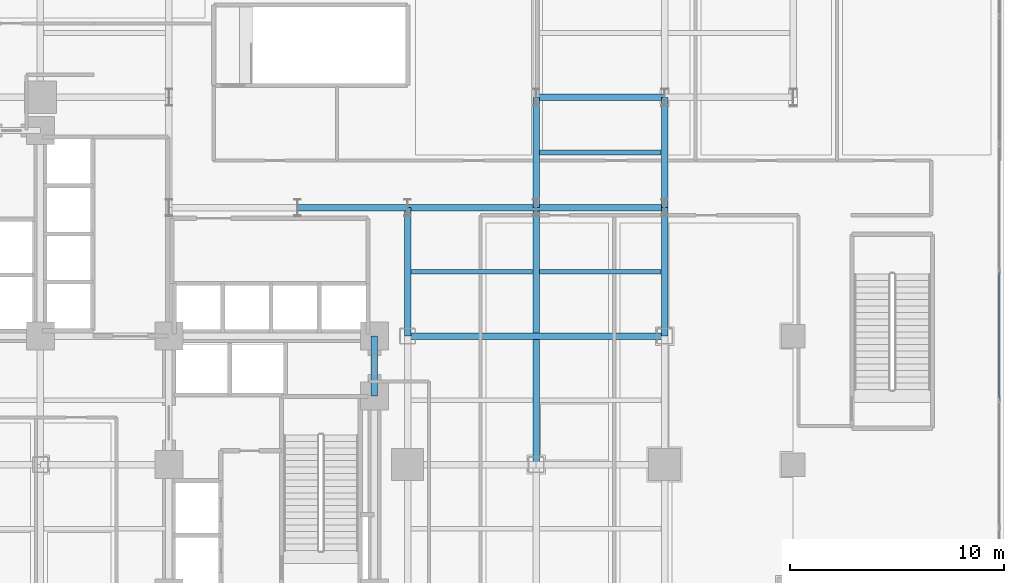
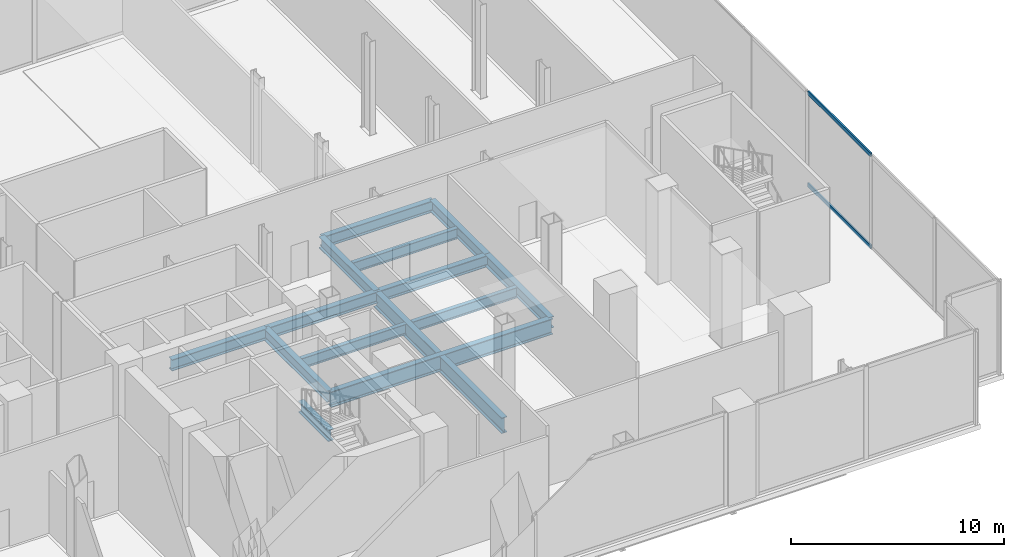
# One storey, part 11 of 27: 14 beams, 2 members, 1 element without a shape of its own.
"""IFC4 building model written with IfcOpenShell, lengths in metres."""

from ifc_helpers import new_model, si_unit, direction, frame, origin, origin_2d, place, context, subcontext, project, spatial, hollow_rectangle, i_section, extrude, material, layer, layer_set, material_profile, profile_set, type_object, element, aggregate, save


model = new_model("IFC4")

# Units and contexts
model_context = context("Model", 3, precision=1e-05, world=origin(), true_north=direction((0.0, 1.0)))
body_context = subcontext(model_context, "Body", "Model", "MODEL_VIEW")
ifc_project = project(units=[si_unit("LENGTHUNIT", "METRE"), si_unit("AREAUNIT", "SQUARE_METRE"), si_unit("VOLUMEUNIT", "CUBIC_METRE"), si_unit("PLANEANGLEUNIT", "RADIAN"), si_unit("MASSUNIT", "GRAM", prefix="KILO"), si_unit("THERMODYNAMICTEMPERATUREUNIT", "KELVIN"), si_unit("POWERUNIT", "WATT")], contexts=[model_context])

# Site, building, storey
site_placement = place(None, origin())
site = spatial("IfcSite", under=ifc_project, at=site_placement, CompositionType="ELEMENT")
building_placement = place(site_placement, origin())
building = spatial("IfcBuilding", under=site, at=building_placement, Name="Svarakhadi Broadcast Tower", CompositionType="ELEMENT")
storey_placement = place(building_placement, frame((0.0, 0.0, 21.89990234375)))
storey = spatial("IfcBuildingStorey", under=building, at=storey_placement, Name="L04", CompositionType="ELEMENT", Elevation=21.89990234375)

# Beams
ifc_material_1 = material(Name="Steel S355J2 (IS 2062 E350C)", Category="steel")
ifc_material_profile_1 = material_profile(ifc_material_1, i_section(OverallWidth=0.219970703125, OverallDepth=0.60009765625, WebThickness=0.011962890625, FlangeThickness=0.01904296875, FilletRadius=0.02392578125, at=origin_2d()), Name="NPB 600x220x122")
ifc_profile_set_1 = profile_set([ifc_material_profile_1], Name="Steel S355J2 (IS 2062 E350C)")
beam_type_1 = type_object("IfcBeamType", Name="Beam_NPB600", PredefinedType="BEAM", material=ifc_profile_set_1)
for number, where, z_axis, x_axis, name in (
    (1, (35.31005859375, 21.0, -0.574951171875), (1.0, 0.0, 0.0), (0.0, 1.0, 0.0), "L04 Secondary Composite Beam SB020"),
    (2, (41.31005859375, 21.0, -0.574951171875), (1.0, 0.0, 0.0), (0.0, 1.0, 0.0), "L04 Secondary Composite Beam SB024"),
    (3, (41.31005859375, 26.574951171875, -0.574951171875), (1.0, 0.0, 0.0), (0.0, 1.0, 0.0), "L04 Secondary Composite Beam SB025"),
):
    element("IfcBeam", number, at=place(storey_placement, frame(where, z_axis=z_axis, x_axis=x_axis)), inside=storey, type_object=beam_type_1, Name=name, PredefinedType="BEAM", context=body_context, shape_type="SweptSolid", body=[
        extrude(i_section(OverallWidth=0.219970703125, OverallDepth=0.60009765625, WebThickness=0.011962890625, FlangeThickness=0.01904296875, FilletRadius=0.02392578125, at=origin_2d()), origin(), (0.0, 0.0, 1.0), 5.679931640625),
    ])

# Curtain wall, members
ifc_material_2 = material(Name="Anodised Bronze Aluminium AA 6063-T6", Category="aluminium")
ifc_layer = layer(ifc_material_2, 0.25)
ifc_layer_set = layer_set([ifc_layer], Name="Anodised Bronze Aluminium AA 6063-T6")
curtain_wall_type = type_object("IfcCurtainWallType", Name="CW_Sys_01", PredefinedType="NOTDEFINED", material=ifc_layer_set)
curtain_wall_placement = place(storey_placement, origin())
curtain_wall = element("IfcCurtainWall", 4, at=curtain_wall_placement, inside=storey, type_object=curtain_wall_type, Name="L04 Unitised Facade Curtain Wall 08", PredefinedType="NOTDEFINED")
ifc_material_profile_2 = material_profile(ifc_material_2, hollow_rectangle(XDim=0.0849609375, YDim=0.219970703125, WallThickness=0.0048828125, at=origin_2d()), Name="ALU TRANSOM 220x85x5")
ifc_profile_set_2 = profile_set([ifc_material_profile_2], Name="Anodised Bronze Aluminium AA 6063-T6")
member_type = type_object("IfcMemberType", Name="CW_Sys_01_Trn", PredefinedType="USERDEFINED", material=ifc_profile_set_2)
member_1_placement = place(storey_placement, frame((62.780029296875, 20.96533203125, 0.04248046875), z_axis=(0.0, -1.0, 0.0), x_axis=(1.0, 0.0, 0.0)))
member_1 = element("IfcMember", 5, at=member_1_placement, type_object=member_type, Name="CW-01 transom 5.1", ObjectType="TRANSOM", PredefinedType="USERDEFINED", context=body_context, shape_type="SweptSolid", body=[
    extrude(hollow_rectangle(XDim=0.0849609375, YDim=0.219970703125, WallThickness=0.0048828125, at=origin_2d()), origin(), (0.0, 0.0, 1.0), 5.879150390625),
])
member_2_placement = place(storey_placement, frame((62.780029296875, 20.96533203125, 5.3076171875), z_axis=(0.0, -1.0, 0.0), x_axis=(1.0, 0.0, 0.0)))
member_2 = element("IfcMember", 6, at=member_2_placement, type_object=member_type, Name="CW-01 transom 5.2", ObjectType="TRANSOM", PredefinedType="USERDEFINED", context=body_context, shape_type="SweptSolid", body=[
    extrude(hollow_rectangle(XDim=0.0849609375, YDim=0.219970703125, WallThickness=0.0048828125, at=origin_2d()), origin(), (0.0, 0.0, 1.0), 5.879150390625),
])
aggregate(curtain_wall, [member_1, member_2])

# Beams
ifc_material_profile_3 = material_profile(ifc_material_1, i_section(OverallWidth=0.300048828125, OverallDepth=0.64990234375, WebThickness=0.01611328125, FlangeThickness=0.031005859375, FilletRadius=0.027099609375, at=origin_2d()), Name="WPB 650x300x225")
ifc_profile_set_3 = profile_set([ifc_material_profile_3], Name="Steel S355J2 (IS 2062 E350C)")
beam_type_2 = type_object("IfcBeamType", Name="Girder_WPB650", PredefinedType="USERDEFINED", material=ifc_profile_set_3)
beam_1_placement = place(storey_placement, frame((30.0, 24.0, -0.599853515625), z_axis=(1.0, 0.0, 0.0), x_axis=(0.0, 1.0, 0.0)))
element("IfcBeam", 7, at=beam_1_placement, inside=storey, type_object=beam_type_2, Name="L04 Primary E-W Girder G027", ObjectType="GIRDER", PredefinedType="USERDEFINED", context=body_context, shape_type="SweptSolid", body=[
    extrude(i_section(OverallWidth=0.300048828125, OverallDepth=0.64990234375, WebThickness=0.01611328125, FlangeThickness=0.031005859375, FilletRadius=0.027099609375, at=origin_2d()), origin(), (0.0, 0.0, 1.0), 5.14990234375),
])
for number, where, z_axis, x_axis, name in (
    (8, (35.14990234375, 24.0, -0.599853515625), (1.0, 0.0, 0.0), (0.0, 1.0, 0.0), "L04 Primary E-W Girder G028"),
    (9, (41.14990234375, 24.0, -0.599853515625), (1.0, 0.0, 0.0), (0.0, 1.0, 0.0), "L04 Primary E-W Girder G029"),
    (10, (41.14990234375, 29.14990234375, -0.599853515625), (1.0, 0.0, 0.0), (0.0, 1.0, 0.0), "L04 Primary E-W Girder G035"),
):
    element("IfcBeam", number, at=place(storey_placement, frame(where, z_axis=z_axis, x_axis=x_axis)), inside=storey, type_object=beam_type_2, Name=name, ObjectType="GIRDER", PredefinedType="USERDEFINED", context=body_context, shape_type="SweptSolid", body=[
        extrude(i_section(OverallWidth=0.300048828125, OverallDepth=0.64990234375, WebThickness=0.01611328125, FlangeThickness=0.031005859375, FilletRadius=0.027099609375, at=origin_2d()), origin(), (0.0, 0.0, 1.0), 6.0),
    ])
beam_2_placement = place(storey_placement, frame((33.60009765625, 15.199951171875, -0.599853515625), z_axis=(0.0, 1.0, 0.0), x_axis=(-1.0, 0.0, 0.0)))
element("IfcBeam", 11, at=beam_2_placement, inside=storey, type_object=beam_type_2, Name="L04 Primary N-S Girder G071", ObjectType="GIRDER", PredefinedType="USERDEFINED", context=body_context, shape_type="SweptSolid", body=[
    extrude(i_section(OverallWidth=0.300048828125, OverallDepth=0.64990234375, WebThickness=0.01611328125, FlangeThickness=0.031005859375, FilletRadius=0.027099609375, at=origin_2d()), origin(), (0.0, 0.0, 1.0), 2.800048828125),
])
beam_3_placement = place(storey_placement, frame((35.14990234375, 18.0, -0.599853515625), z_axis=(0.0, 1.0, 0.0), x_axis=(-1.0, 0.0, 0.0)))
element("IfcBeam", 12, at=beam_3_placement, inside=storey, type_object=beam_type_2, Name="L04 Primary N-S Girder G074", ObjectType="GIRDER", PredefinedType="USERDEFINED", context=body_context, shape_type="SweptSolid", body=[
    extrude(i_section(OverallWidth=0.300048828125, OverallDepth=0.64990234375, WebThickness=0.01611328125, FlangeThickness=0.031005859375, FilletRadius=0.027099609375, at=origin_2d()), origin(), (0.0, 0.0, 1.0), 6.0),
])
beam_4_placement = place(storey_placement, frame((41.14990234375, 24.0, -0.599853515625), z_axis=(0.0, 1.0, 0.0), x_axis=(-1.0, 0.0, 0.0)))
element("IfcBeam", 13, at=beam_4_placement, inside=storey, type_object=beam_type_2, Name="L04 Primary N-S Girder G077", ObjectType="GIRDER", PredefinedType="USERDEFINED", context=body_context, shape_type="SweptSolid", body=[
    extrude(i_section(OverallWidth=0.300048828125, OverallDepth=0.64990234375, WebThickness=0.01611328125, FlangeThickness=0.031005859375, FilletRadius=0.027099609375, at=origin_2d()), origin(), (0.0, 0.0, 1.0), 5.14990234375),
])
beam_5_placement = place(storey_placement, frame((47.14990234375, 18.0, -0.599853515625), z_axis=(0.0, 1.0, 0.0), x_axis=(-1.0, 0.0, 0.0)))
element("IfcBeam", 14, at=beam_5_placement, inside=storey, type_object=beam_type_2, Name="L04 Primary N-S Girder G081", ObjectType="GIRDER", PredefinedType="USERDEFINED", context=body_context, shape_type="SweptSolid", body=[
    extrude(i_section(OverallWidth=0.300048828125, OverallDepth=0.64990234375, WebThickness=0.01611328125, FlangeThickness=0.031005859375, FilletRadius=0.027099609375, at=origin_2d()), origin(), (0.0, 0.0, 1.0), 6.0),
])
beam_6_placement = place(storey_placement, frame((47.14990234375, 24.0, -0.599853515625), z_axis=(0.0, 1.0, 0.0), x_axis=(-1.0, 0.0, 0.0)))
element("IfcBeam", 15, at=beam_6_placement, inside=storey, type_object=beam_type_2, Name="L04 Primary N-S Girder G082", ObjectType="GIRDER", PredefinedType="USERDEFINED", context=body_context, shape_type="SweptSolid", body=[
    extrude(i_section(OverallWidth=0.300048828125, OverallDepth=0.64990234375, WebThickness=0.01611328125, FlangeThickness=0.031005859375, FilletRadius=0.027099609375, at=origin_2d()), origin(), (0.0, 0.0, 1.0), 5.14990234375),
])
ifc_material_3 = material(Name="Steel S460ML (IS 2062 E450BR)", Category="steel")
ifc_material_profile_4 = material_profile(ifc_material_3, i_section(OverallWidth=0.300048828125, OverallDepth=0.89990234375, WebThickness=0.0185546875, FlangeThickness=0.034912109375, FilletRadius=0.030029296875, at=origin_2d()), Name="WPB 900x300x291")
ifc_profile_set_4 = profile_set([ifc_material_profile_4], Name="Steel S460ML (IS 2062 E450BR)")
beam_type_3 = type_object("IfcBeamType", Name="Girder_WPB900", PredefinedType="USERDEFINED", material=ifc_profile_set_4)
for number, where, z_axis, x_axis, name in (
    (16, (35.14990234375, 18.0, -0.724853515625), (1.0, 0.0, 0.0), (0.0, 1.0, 0.0), "L04 Primary E-W Girder G025"),
    (17, (41.14990234375, 12.0, -0.724853515625), (0.0, 1.0, 0.0), (-1.0, 0.0, 0.0), "L04 Primary N-S Girder G076"),
):
    element("IfcBeam", number, at=place(storey_placement, frame(where, z_axis=z_axis, x_axis=x_axis)), inside=storey, type_object=beam_type_3, Name=name, ObjectType="GIRDER", PredefinedType="USERDEFINED", context=body_context, shape_type="SweptSolid", body=[
        extrude(i_section(OverallWidth=0.300048828125, OverallDepth=0.89990234375, WebThickness=0.0185546875, FlangeThickness=0.034912109375, FilletRadius=0.030029296875, at=origin_2d()), origin(), (0.0, 0.0, 1.0), 12.0),
    ])

save(model, "model.ifc")
